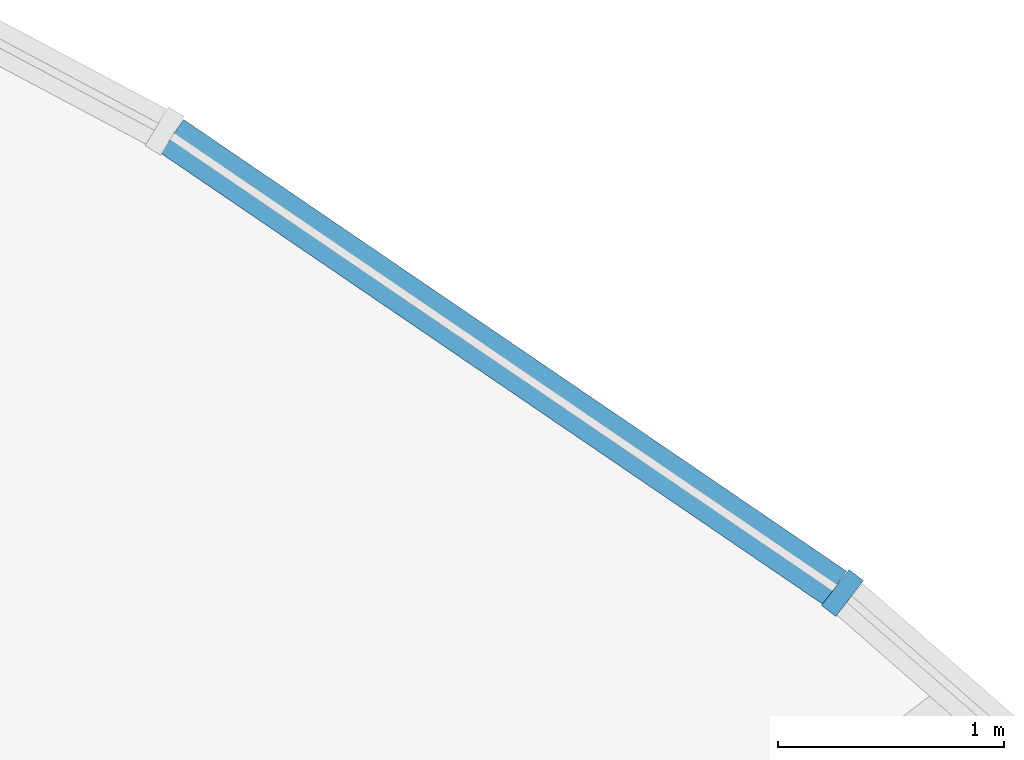
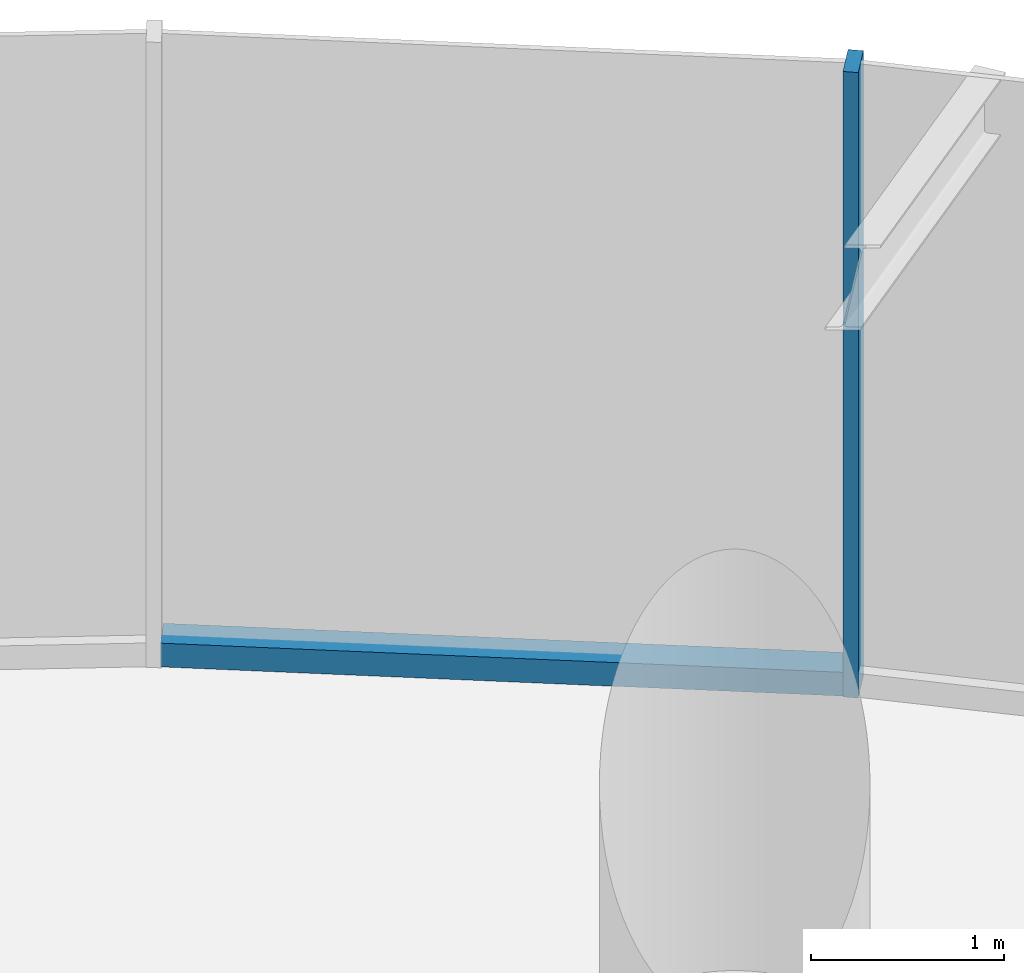
# One storey, part 9 of 19: 2 members, 1 element without a shape of its own.
"""IFC4 building model written with IfcOpenShell, lengths in metres."""

from ifc_helpers import new_model, si_unit, direction, frame, origin, origin_2d, place, context, subcontext, project, spatial, rectangle, extrude, source, transform, mapped, material, layer, layer_set, material_profile, profile_set, type_object, element, aggregate, save


model = new_model("IFC4")

# Units and contexts
model_context = context("Model", 3, precision=1e-05, world=origin(), true_north=direction((0.0, 1.0)))
body_context = subcontext(model_context, "Body", "Model", "MODEL_VIEW")
ifc_project = project(units=[si_unit("LENGTHUNIT", "METRE"), si_unit("AREAUNIT", "SQUARE_METRE"), si_unit("VOLUMEUNIT", "CUBIC_METRE"), si_unit("PLANEANGLEUNIT", "RADIAN"), si_unit("MASSUNIT", "GRAM", prefix="KILO")], contexts=[model_context])

# Site, building, storey
site_placement = place(None, origin())
site = spatial("IfcSite", under=ifc_project, at=site_placement, CompositionType="ELEMENT")
building_placement = place(site_placement, origin())
building = spatial("IfcBuilding", under=site, at=building_placement, Name="Spindrift Exchange Tower", CompositionType="ELEMENT")
storey_placement = place(building_placement, frame((0.0, 0.0, 57.800048828125)))
storey = spatial("IfcBuildingStorey", under=building, at=storey_placement, Name="L13", CompositionType="ELEMENT", Elevation=57.800048828125)

# Curtain wall, members
ifc_material_1 = material(Name="Fritted laminated glass with bronze frame", Category="glass")
ifc_layer = layer(ifc_material_1, 0.199951171875)
ifc_layer_set = layer_set([ifc_layer], Name="ZONE 1 BRONZE FRITTED WALL")
curtain_wall_type = type_object("IfcCurtainWallType", Name="ZONE 1 BRONZE FRITTED WALL", PredefinedType="NOTDEFINED", material=ifc_layer_set)
curtain_wall_placement = place(storey_placement, origin())
curtain_wall = element("IfcCurtainWall", 1, at=curtain_wall_placement, inside=storey, type_object=curtain_wall_type, Name="L13 Zone 1 Bronze Fritted Wall run 1", PredefinedType="NOTDEFINED")
ifc_material_2 = material(Name="Bronze anodised aluminium", Category="aluminium")
ifc_material_profile_1 = material_profile(ifc_material_2, rectangle(XDim=0.080078125, YDim=0.199951171875, at=origin_2d()), Name="ZONE 1 BRONZE FRITTED WALL MULLION 80X200")
ifc_profile_set_1 = profile_set([ifc_material_profile_1], Name="Bronze anodised aluminium")
member_type_1 = type_object("IfcMemberType", Name="ZONE 1 BRONZE FRITTED WALL MULLION 80X200", PredefinedType="MULLION", material=ifc_profile_set_1)
shared_shape_1 = source(origin(), body_context, "Body", "SweptSolid", [
    extrude(rectangle(XDim=0.080078125, YDim=0.199951171875, at=origin_2d()), origin(), (0.0, 0.0, 1.0), 3.949951171875),
])
member_1_placement = place(storey_placement, frame((79.997314453125, 70.342529296875, 0.0), z_axis=(0.0, 0.0, 1.0), x_axis=(-0.791356461597, 0.611355011992, 0.0)))
member_1 = element("IfcMember", 2, at=member_1_placement, type_object=member_type_1, Name="L13 mullion CW-1.6", PredefinedType="MULLION", context=body_context, shape_type="MappedRepresentation", body=[
    mapped(shared_shape_1, transform((0.0, 0.0, 0.0), scale=1.0)),
])
ifc_material_profile_2 = material_profile(ifc_material_2, rectangle(XDim=0.179931640625, YDim=0.14990234375, at=origin_2d()), Name="ZONE 1 BRONZE FRITTED WALL TRANSOM 180X150")
ifc_profile_set_2 = profile_set([ifc_material_profile_2], Name="Bronze anodised aluminium")
member_type_2 = type_object("IfcMemberType", Name="ZONE 1 BRONZE FRITTED WALL TRANSOM 180X150", PredefinedType="USERDEFINED", material=ifc_profile_set_2)
shared_shape_2 = source(origin(), body_context, "Body", "SweptSolid", [
    extrude(rectangle(XDim=0.179931640625, YDim=0.14990234375, at=origin_2d()), origin(), (0.0, 0.0, 1.0), 3.54638671875),
])
member_2_placement = place(storey_placement, frame((79.96435546875, 70.364990234375, 0.074951171875), z_axis=(-0.826404995311, 0.563076179327, 0.0), x_axis=(-0.563076179327, -0.826404995311, 0.0)))
member_2 = element("IfcMember", 3, at=member_2_placement, type_object=member_type_2, Name="L13 transom CW-1.6", ObjectType="TRANSOM", PredefinedType="USERDEFINED", context=body_context, shape_type="MappedRepresentation", body=[
    mapped(shared_shape_2, transform((0.0, 0.0, 0.0), scale=1.0)),
])
aggregate(curtain_wall, [member_1, member_2])

save(model, "model.ifc")
